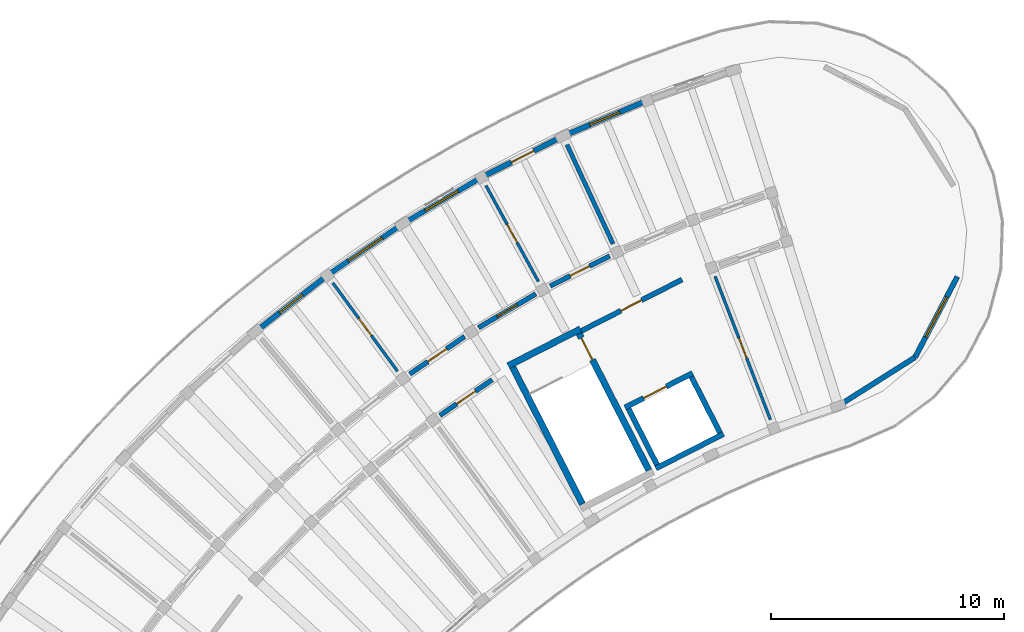
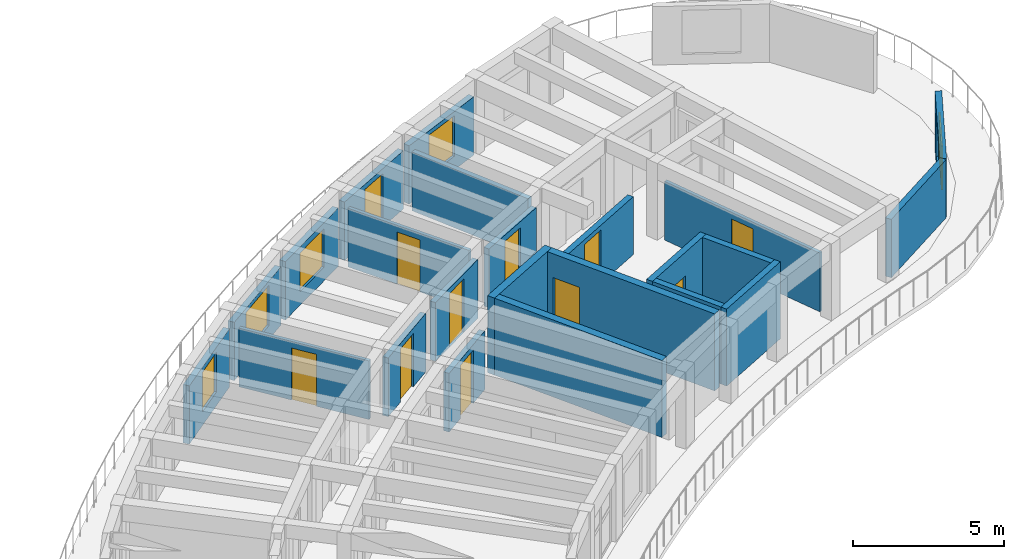
# One storey, part 6 of 9: 23 walls, 11 doors, 5 windows, 16 openings.
"""IFC4 building model written with IfcOpenShell, lengths in metres."""

from ifc_helpers import new_model, si_unit, direction, frame, frame_2d, origin, place, context, subcontext, project, spatial, rectangle, extrude, material, layer, layer_set, type_object, element, fill, save


model = new_model("IFC4")

# Units and contexts
model_context = context("Model", 3, precision=1e-05, world=origin(), true_north=direction((0.0, 1.0)))
body_context = subcontext(model_context, "Body", "Model", "MODEL_VIEW")
ifc_project = project(units=[si_unit("LENGTHUNIT", "METRE"), si_unit("AREAUNIT", "SQUARE_METRE"), si_unit("VOLUMEUNIT", "CUBIC_METRE"), si_unit("PLANEANGLEUNIT", "RADIAN"), si_unit("MASSUNIT", "GRAM", prefix="KILO")], contexts=[model_context])

# Site, building, storey
site_placement = place(None, origin())
site = spatial("IfcSite", under=ifc_project, at=site_placement, CompositionType="ELEMENT")
building_placement = place(site_placement, origin())
building = spatial("IfcBuilding", under=site, at=building_placement, Name="Tanwirah Colonnade Gardens", CompositionType="ELEMENT")
storey_placement = place(building_placement, frame((0.0, 0.0, 49.159912109375)))
storey = spatial("IfcBuildingStorey", under=building, at=storey_placement, Name="L14", CompositionType="ELEMENT", Elevation=49.159912109375)

# Wall, opening, window
ifc_material_1 = material(Name="Limestone architectural precast concrete C40/50", Category="masonry")
ifc_layer_1 = layer(ifc_material_1, 0.22509765625)
ifc_layer_set_1 = layer_set([ifc_layer_1], Name="Limestone architectural precast concrete C40/50")
wall_type_1 = type_object("IfcWallType", Name="EW-PC225", PredefinedType="SOLIDWALL", material=ifc_layer_set_1)
wall_1_placement = place(storey_placement, frame((43.367431640625, 115.675048828125, 0.0), z_axis=(0.0, 0.0, 1.0), x_axis=(-0.920504825894, -0.390731193413, 0.0)))
wall_1 = element("IfcWall", 1, at=wall_1_placement, inside=storey, type_object=wall_type_1, Name="Block A L14 OUT Precast Facade Wall 4", PredefinedType="SOLIDWALL", context=body_context, shape_type="SweptSolid", body=[
    extrude(rectangle(XDim=3.560791015625, YDim=0.22509765625, at=frame_2d((1.7802734375, 0.0))), origin(), (0.0, 0.0, 1.0), 2.35498046875),
])
opening_1_placement = place(wall_1_placement, frame((1.080322265625, 0.0, 0.550048828125)))
opening_1 = element("IfcOpeningElement", 2, at=opening_1_placement, cuts=wall_1, Name="Opening WIN-U07", PredefinedType="OPENING", context=body_context, shape_type="SweptSolid", body=[
    extrude(rectangle(XDim=1.39990234375, YDim=1.635009765625, at=frame_2d((0.699951171875, 0.8173828125))), frame((0.0, 0.12255859375, 0.0), z_axis=(0.0, -1.0, 0.0), x_axis=(1.0, 0.0, 0.0)), (0.0, 0.0, 1.0), 0.2451171875),
])
ifc_material_2 = material(Name="Thermally broken bronze aluminium and solar low-E double glazing", Category="aluminium")
window_type_1 = type_object("IfcWindowType", Name="WIN-U07", PartitioningType="DOUBLE_PANEL_VERTICAL", PredefinedType="WINDOW", material=ifc_material_2)
window_1_placement = place(opening_1_placement, origin())
window_1 = element("IfcWindow", 3, at=window_1_placement, inside=storey, type_object=window_type_1, Name="Facade window A-L14-OUT-04", OverallHeight=1.635009765625, OverallWidth=1.39990234375, PartitioningType="SINGLE_PANEL", PredefinedType="WINDOW", context=body_context, shape_type="SweptSolid", body=[
    extrude(rectangle(XDim=1.39990234375, YDim=1.635009765625, at=frame_2d((0.699951171875, 0.8173828125))), frame((0.0, 0.030029296875, 0.0), z_axis=(0.0, -1.0, 0.0), x_axis=(1.0, 0.0, 0.0)), (0.0, 0.0, 1.0), 0.06005859375),
])
fill(opening_1, window_1)

# Wall, opening, door
wall_2_placement = place(storey_placement, frame((39.79052734375, 114.14501953125, 0.0), z_axis=(0.0, 0.0, 1.0), x_axis=(-0.892761804842, -0.450528977776, 0.0)))
wall_2 = element("IfcWall", 4, at=wall_2_placement, inside=storey, type_object=wall_type_1, Name="Block A L14 OUT Precast Facade Wall 5", PredefinedType="SOLIDWALL", context=body_context, shape_type="SweptSolid", body=[
    extrude(rectangle(XDim=3.560791015625, YDim=0.22509765625, at=frame_2d((1.7802734375, 0.0))), origin(), (0.0, 0.0, 1.0), 2.35498046875),
])
opening_2_placement = place(wall_2_placement, frame((1.240234375, 0.0, 0.0)))
opening_2 = element("IfcOpeningElement", 5, at=opening_2_placement, cuts=wall_2, Name="Opening L14-ED065", PredefinedType="OPENING", context=body_context, shape_type="SweptSolid", body=[
    extrude(rectangle(XDim=1.080078125, YDim=2.14990234375, at=frame_2d((0.5400390625, 1.074951171875))), frame((0.0, 0.12255859375, 0.0), z_axis=(0.0, -1.0, 0.0), x_axis=(1.0, 0.0, 0.0)), (0.0, 0.0, 1.0), 0.2451171875),
])
ifc_material_3 = material(Name="Bronze aluminium glazed balcony door", Category="aluminium")
door_type_1 = type_object("IfcDoorType", Name="ED-BAL108", OperationType="NOTDEFINED", PredefinedType="DOOR", material=ifc_material_3)
door_1_placement = place(opening_2_placement, origin())
door_1 = element("IfcDoor", 6, at=door_1_placement, inside=storey, type_object=door_type_1, Name="Balcony glazed door L14-ED065", OperationType="SINGLE_SWING_RIGHT", OverallHeight=2.14990234375, OverallWidth=1.080078125, PredefinedType="DOOR", context=body_context, shape_type="SweptSolid", body=[
    extrude(rectangle(XDim=1.080078125, YDim=2.14990234375, at=frame_2d((0.5400390625, 1.074951171875))), frame((0.0, 0.02490234375, 0.0), z_axis=(0.0, -1.0, 0.0), x_axis=(1.0, 0.0, 0.0)), (0.0, 0.0, 1.0), 0.050048828125),
])
fill(opening_2, door_1)

# Wall, opening, window
wall_3_placement = place(storey_placement, frame((36.2607421875, 112.34912109375, 0.0), z_axis=(0.0, 0.0, 1.0), x_axis=(-0.861113476273, -0.508412805682, 0.0)))
wall_3 = element("IfcWall", 7, at=wall_3_placement, inside=storey, type_object=wall_type_1, Name="Block A L14 OUT Precast Facade Wall 6", PredefinedType="SOLIDWALL", context=body_context, shape_type="SweptSolid", body=[
    extrude(rectangle(XDim=3.560791015625, YDim=0.22509765625, at=frame_2d((1.7802734375, 0.0))), origin(), (0.0, 0.0, 1.0), 2.35498046875),
])
opening_3_placement = place(wall_3_placement, frame((0.96044921875, 0.0, 0.550048828125)))
opening_3 = element("IfcOpeningElement", 8, at=opening_3_placement, cuts=wall_3, Name="Opening WIN-U13", PredefinedType="OPENING", context=body_context, shape_type="SweptSolid", body=[
    extrude(rectangle(XDim=1.639892578125, YDim=1.56005859375, at=frame_2d((0.81982421875, 0.780029296875))), frame((0.0, 0.12255859375, 0.0), z_axis=(0.0, -1.0, 0.0), x_axis=(1.0, 0.0, 0.0)), (0.0, 0.0, 1.0), 0.2451171875),
])
window_type_2 = type_object("IfcWindowType", Name="WIN-U13", PartitioningType="DOUBLE_PANEL_VERTICAL", PredefinedType="WINDOW", material=ifc_material_2)
window_2_placement = place(opening_3_placement, origin())
window_2 = element("IfcWindow", 9, at=window_2_placement, inside=storey, type_object=window_type_2, Name="Facade window A-L14-OUT-06", OverallHeight=1.56005859375, OverallWidth=1.639892578125, PartitioningType="SINGLE_PANEL", PredefinedType="WINDOW", context=body_context, shape_type="SweptSolid", body=[
    extrude(rectangle(XDim=1.639892578125, YDim=1.56005859375, at=frame_2d((0.81982421875, 0.780029296875))), frame((0.0, 0.030029296875, 0.0), z_axis=(0.0, -1.0, 0.0), x_axis=(1.0, 0.0, 0.0)), (0.0, 0.0, 1.0), 0.06005859375),
])
fill(opening_3, window_2)

wall_4_placement = place(storey_placement, frame((32.916259765625, 110.36181640625, 0.0), z_axis=(0.0, 0.0, 1.0), x_axis=(-0.82580643372, -0.563953663014, 0.0)))
wall_4 = element("IfcWall", 10, at=wall_4_placement, inside=storey, type_object=wall_type_1, Name="Block A L14 OUT Precast Facade Wall 7", PredefinedType="SOLIDWALL", context=body_context, shape_type="SweptSolid", body=[
    extrude(rectangle(XDim=3.560791015625, YDim=0.22509765625, at=frame_2d((1.7802734375, 0.0))), origin(), (0.0, 0.0, 1.0), 2.35498046875),
])
opening_4_placement = place(wall_4_placement, frame((0.900390625, 0.0, 0.550048828125)))
opening_4 = element("IfcOpeningElement", 11, at=opening_4_placement, cuts=wall_4, Name="Opening WIN-U16", PredefinedType="OPENING", context=body_context, shape_type="SweptSolid", body=[
    extrude(rectangle(XDim=1.760009765625, YDim=1.635009765625, at=frame_2d((0.8798828125, 0.8173828125))), frame((0.0, 0.12255859375, 0.0), z_axis=(0.0, -1.0, 0.0), x_axis=(1.0, 0.0, 0.0)), (0.0, 0.0, 1.0), 0.2451171875),
])
window_type_3 = type_object("IfcWindowType", Name="WIN-U16", PartitioningType="DOUBLE_PANEL_VERTICAL", PredefinedType="WINDOW", material=ifc_material_2)
window_3_placement = place(opening_4_placement, origin())
window_3 = element("IfcWindow", 12, at=window_3_placement, inside=storey, type_object=window_type_3, Name="Facade window A-L14-OUT-07", OverallHeight=1.635009765625, OverallWidth=1.760009765625, PartitioningType="SINGLE_PANEL", PredefinedType="WINDOW", context=body_context, shape_type="SweptSolid", body=[
    extrude(rectangle(XDim=1.760009765625, YDim=1.635009765625, at=frame_2d((0.8798828125, 0.8173828125))), frame((0.0, 0.030029296875, 0.0), z_axis=(0.0, -1.0, 0.0), x_axis=(1.0, 0.0, 0.0)), (0.0, 0.0, 1.0), 0.06005859375),
])
fill(opening_4, window_3)

wall_5_placement = place(storey_placement, frame((29.6533203125, 108.117431640625, 0.0), z_axis=(0.0, 0.0, 1.0), x_axis=(-0.786786822338, -0.617224834396, 0.0)))
wall_5 = element("IfcWall", 13, at=wall_5_placement, inside=storey, type_object=wall_type_1, Name="Block A L14 OUT Precast Facade Wall 8", PredefinedType="SOLIDWALL", context=body_context, shape_type="SweptSolid", body=[
    extrude(rectangle(XDim=3.560791015625, YDim=0.22509765625, at=frame_2d((1.7802734375, 0.0))), origin(), (0.0, 0.0, 1.0), 2.35498046875),
])
opening_5_placement = place(wall_5_placement, frame((1.1552734375, 0.0, 0.550048828125)))
opening_5 = element("IfcOpeningElement", 14, at=opening_5_placement, cuts=wall_5, Name="Opening WIN-T03", PredefinedType="OPENING", context=body_context, shape_type="SweptSolid", body=[
    extrude(rectangle(XDim=1.25, YDim=1.60009765625, at=frame_2d((0.625, 0.800048828125))), frame((0.0, 0.12255859375, 0.0), z_axis=(0.0, -1.0, 0.0), x_axis=(1.0, 0.0, 0.0)), (0.0, 0.0, 1.0), 0.2451171875),
])
window_type_4 = type_object("IfcWindowType", Name="WIN-T03", PartitioningType="SINGLE_PANEL", PredefinedType="WINDOW", material=ifc_material_2)
window_4_placement = place(opening_5_placement, origin())
window_4 = element("IfcWindow", 15, at=window_4_placement, inside=storey, type_object=window_type_4, Name="Facade window A-L14-OUT-08", OverallHeight=1.60009765625, OverallWidth=1.25, PartitioningType="SINGLE_PANEL", PredefinedType="WINDOW", context=body_context, shape_type="SweptSolid", body=[
    extrude(rectangle(XDim=1.25, YDim=1.60009765625, at=frame_2d((0.625, 0.800048828125))), frame((0.0, 0.030029296875, 0.0), z_axis=(0.0, -1.0, 0.0), x_axis=(1.0, 0.0, 0.0)), (0.0, 0.0, 1.0), 0.06005859375),
])
fill(opening_5, window_4)

wall_6_placement = place(storey_placement, frame((56.873779296875, 108.18310546875, 0.0), z_axis=(0.0, 0.0, 1.0), x_axis=(-0.464273080326, -0.885692106143, 0.0)))
wall_6 = element("IfcWall", 16, at=wall_6_placement, inside=storey, type_object=wall_type_1, Name="Block A L14 START Rounded End Wall 4", PredefinedType="SOLIDWALL", context=body_context, shape_type="SweptSolid", body=[
    extrude(rectangle(XDim=3.908203125, YDim=0.22509765625, at=frame_2d((1.9541015625, 0.0))), origin(), (0.0, 0.0, 1.0), 2.35498046875),
])
opening_6_placement = place(wall_6_placement, frame((0.97900390625, 0.0, 0.39990234375)))
opening_6 = element("IfcOpeningElement", 17, at=opening_6_placement, cuts=wall_6, Name="Opening WIN-END2", PredefinedType="OPENING", context=body_context, shape_type="SweptSolid", body=[
    extrude(rectangle(XDim=1.949951171875, YDim=1.780029296875, at=frame_2d((0.97509765625, 0.89013671875))), frame((0.0, 0.12255859375, 0.0), z_axis=(0.0, -1.0, 0.0), x_axis=(1.0, 0.0, 0.0)), (0.0, 0.0, 1.0), 0.2451171875),
])
window_type_5 = type_object("IfcWindowType", Name="WIN-END2", PartitioningType="TRIPLE_PANEL_VERTICAL", PredefinedType="WINDOW", material=ifc_material_2)
window_5_placement = place(opening_6_placement, origin())
window_5 = element("IfcWindow", 18, at=window_5_placement, inside=storey, type_object=window_type_5, Name="Rounded corner window A-L14-START-4", OverallHeight=1.780029296875, OverallWidth=1.949951171875, PartitioningType="SINGLE_PANEL", PredefinedType="WINDOW", context=body_context, shape_type="SweptSolid", body=[
    extrude(rectangle(XDim=1.949951171875, YDim=1.780029296875, at=frame_2d((0.97509765625, 0.89013671875))), frame((0.0, 0.030029296875, 0.0), z_axis=(0.0, -1.0, 0.0), x_axis=(1.0, 0.0, 0.0)), (0.0, 0.0, 1.0), 0.06005859375),
])
fill(opening_6, window_5)

# Wall
wall_7_placement = place(storey_placement, frame((55.059326171875, 104.7216796875, 0.0), z_axis=(0.0, 0.0, 1.0), x_axis=(-0.844945177455, -0.534852920994, 0.0)))
element("IfcWall", 19, at=wall_7_placement, inside=storey, type_object=wall_type_1, Name="Block A L14 START Rounded End Wall 5", PredefinedType="SOLIDWALL", context=body_context, shape_type="SweptSolid", body=[
    extrude(rectangle(XDim=3.908203125, YDim=0.22509765625, at=frame_2d((1.9541015625, 0.0))), origin(), (0.0, 0.0, 1.0), 2.35498046875),
])

# Wall, opening, door
ifc_material_4 = material(Name="Precast concrete C40/50", Category="concrete")
ifc_layer_2 = layer(ifc_material_4, 0.205078125)
ifc_layer_set_2 = layer_set([ifc_layer_2], Name="Precast concrete C40/50")
wall_type_2 = type_object("IfcWallType", Name="IW-CORR205", PredefinedType="PARTITIONING", material=ifc_layer_set_2)
wall_8_placement = place(storey_placement, frame((41.93994140625, 109.072509765625, 0.0), z_axis=(0.0, 0.0, 1.0), x_axis=(-0.89273239336, -0.450587254419, 0.0)))
wall_8 = element("IfcWall", 20, at=wall_8_placement, inside=storey, type_object=wall_type_2, Name="Block A L14 OUT Corridor Wall 5", PredefinedType="PARTITIONING", context=body_context, shape_type="SweptSolid", body=[
    extrude(rectangle(XDim=2.863037109375, YDim=0.205078125, at=frame_2d((1.431640625, 0.0))), origin(), (0.0, 0.0, 1.0), 2.3701171875),
])
opening_7_placement = place(wall_8_placement, frame((0.966552734375, 0.0, 0.0)))
opening_7 = element("IfcOpeningElement", 21, at=opening_7_placement, cuts=wall_8, Name="Opening L14-AD770", PredefinedType="OPENING", context=body_context, shape_type="SweptSolid", body=[
    extrude(rectangle(XDim=0.929931640625, YDim=2.1201171875, at=frame_2d((0.46484375, 1.06005859375))), frame((0.0, 0.112548828125, 0.0), z_axis=(0.0, -1.0, 0.0), x_axis=(1.0, 0.0, 0.0)), (0.0, 0.0, 1.0), 0.22509765625),
])
ifc_material_5 = material(Name="Solid oak fire-resisting apartment entrance door")
door_type_2 = type_object("IfcDoorType", Name="ID-FLT093", OperationType="NOTDEFINED", PredefinedType="DOOR", material=ifc_material_5)
door_2_placement = place(opening_7_placement, origin())
door_2 = element("IfcDoor", 22, at=door_2_placement, inside=storey, type_object=door_type_2, Name="Apartment corridor door L14-AD770", OperationType="SINGLE_SWING_RIGHT", OverallHeight=2.1201171875, OverallWidth=0.929931640625, PredefinedType="DOOR", context=body_context, shape_type="SweptSolid", body=[
    extrude(rectangle(XDim=0.929931640625, YDim=2.1201171875, at=frame_2d((0.46484375, 1.06005859375))), frame((0.0, 0.02490234375, 0.0), z_axis=(0.0, -1.0, 0.0), x_axis=(1.0, 0.0, 0.0)), (0.0, 0.0, 1.0), 0.050048828125),
])
fill(opening_7, door_2)

wall_9_placement = place(storey_placement, frame((38.77001953125, 107.447021484375, 0.0), z_axis=(0.0, 0.0, 1.0), x_axis=(-0.861113214678, -0.508413248753, 0.0)))
wall_9 = element("IfcWall", 23, at=wall_9_placement, inside=storey, type_object=wall_type_2, Name="Block A L14 OUT Corridor Wall 6", PredefinedType="PARTITIONING", context=body_context, shape_type="SweptSolid", body=[
    extrude(rectangle(XDim=2.863037109375, YDim=0.205078125, at=frame_2d((1.431640625, 0.0))), origin(), (0.0, 0.0, 1.0), 2.3701171875),
])
opening_8_placement = place(wall_9_placement, frame((0.9365234375, 0.0, 0.0)))
opening_8 = element("IfcOpeningElement", 24, at=opening_8_placement, cuts=wall_9, Name="Opening L14-AD772", PredefinedType="OPENING", context=body_context, shape_type="SweptSolid", body=[
    extrude(rectangle(XDim=0.989990234375, YDim=2.159912109375, at=frame_2d((0.4951171875, 1.080078125))), frame((0.0, 0.112548828125, 0.0), z_axis=(0.0, -1.0, 0.0), x_axis=(1.0, 0.0, 0.0)), (0.0, 0.0, 1.0), 0.22509765625),
])
door_type_3 = type_object("IfcDoorType", Name="ID-FLT099", OperationType="NOTDEFINED", PredefinedType="DOOR", material=ifc_material_5)
door_3_placement = place(opening_8_placement, origin())
door_3 = element("IfcDoor", 25, at=door_3_placement, inside=storey, type_object=door_type_3, Name="Apartment corridor door L14-AD772", OperationType="SINGLE_SWING_LEFT", OverallHeight=2.159912109375, OverallWidth=0.989990234375, PredefinedType="DOOR", context=body_context, shape_type="SweptSolid", body=[
    extrude(rectangle(XDim=0.989990234375, YDim=2.159912109375, at=frame_2d((0.4951171875, 1.080078125))), frame((0.0, 0.02490234375, 0.0), z_axis=(0.0, -1.0, 0.0), x_axis=(1.0, 0.0, 0.0)), (0.0, 0.0, 1.0), 0.050048828125),
])
fill(opening_8, door_3)

wall_10_placement = place(storey_placement, frame((35.714111328125, 105.615966796875, 0.0), z_axis=(0.0, 0.0, 1.0), x_axis=(-0.825779671787, -0.563992848947, 0.0)))
wall_10 = element("IfcWall", 26, at=wall_10_placement, inside=storey, type_object=wall_type_2, Name="Block A L14 OUT Corridor Wall 7", PredefinedType="PARTITIONING", context=body_context, shape_type="SweptSolid", body=[
    extrude(rectangle(XDim=2.863037109375, YDim=0.205078125, at=frame_2d((1.431640625, 0.0))), origin(), (0.0, 0.0, 1.0), 2.3701171875),
])
opening_9_placement = place(wall_10_placement, frame((0.946533203125, 0.0, 0.0)))
opening_9 = element("IfcOpeningElement", 27, at=opening_9_placement, cuts=wall_10, Name="Opening L14-AD773", PredefinedType="OPENING", context=body_context, shape_type="SweptSolid", body=[
    extrude(rectangle(XDim=0.969970703125, YDim=2.14990234375, at=frame_2d((0.48486328125, 1.074951171875))), frame((0.0, 0.112548828125, 0.0), z_axis=(0.0, -1.0, 0.0), x_axis=(1.0, 0.0, 0.0)), (0.0, 0.0, 1.0), 0.22509765625),
])
door_type_4 = type_object("IfcDoorType", Name="ID-FLT097", OperationType="NOTDEFINED", PredefinedType="DOOR", material=ifc_material_5)
door_4_placement = place(opening_9_placement, origin())
door_4 = element("IfcDoor", 28, at=door_4_placement, inside=storey, type_object=door_type_4, Name="Apartment corridor door L14-AD773", OperationType="SINGLE_SWING_RIGHT", OverallHeight=2.14990234375, OverallWidth=0.969970703125, PredefinedType="DOOR", context=body_context, shape_type="SweptSolid", body=[
    extrude(rectangle(XDim=0.969970703125, YDim=2.14990234375, at=frame_2d((0.48486328125, 1.074951171875))), frame((0.0, 0.02490234375, 0.0), z_axis=(0.0, -1.0, 0.0), x_axis=(1.0, 0.0, 0.0)), (0.0, 0.0, 1.0), 0.050048828125),
])
fill(opening_9, door_4)

wall_11_placement = place(storey_placement, frame((36.89453125, 103.759521484375, 0.0), z_axis=(0.0, 0.0, 1.0), x_axis=(-0.825752009056, -0.56403334967, 0.0)))
wall_11 = element("IfcWall", 29, at=wall_11_placement, inside=storey, type_object=wall_type_2, Name="Block A L14 IN Corridor Wall 7", PredefinedType="PARTITIONING", context=body_context, shape_type="SweptSolid", body=[
    extrude(rectangle(XDim=2.71826171875, YDim=0.205078125, at=frame_2d((1.359130859375, 0.0))), origin(), (0.0, 0.0, 1.0), 2.3701171875),
])
opening_10_placement = place(wall_11_placement, frame((0.8740234375, 0.0, 0.0)))
opening_10 = element("IfcOpeningElement", 30, at=opening_10_placement, cuts=wall_11, Name="Opening L14-AD774", PredefinedType="OPENING", context=body_context, shape_type="SweptSolid", body=[
    extrude(rectangle(XDim=0.969970703125, YDim=2.14990234375, at=frame_2d((0.48486328125, 1.074951171875))), frame((0.0, 0.112548828125, 0.0), z_axis=(0.0, -1.0, 0.0), x_axis=(1.0, 0.0, 0.0)), (0.0, 0.0, 1.0), 0.22509765625),
])
door_5_placement = place(opening_10_placement, origin())
door_5 = element("IfcDoor", 31, at=door_5_placement, inside=storey, type_object=door_type_4, Name="Apartment corridor door L14-AD774", OperationType="SINGLE_SWING_LEFT", OverallHeight=2.14990234375, OverallWidth=0.969970703125, PredefinedType="DOOR", context=body_context, shape_type="SweptSolid", body=[
    extrude(rectangle(XDim=0.969970703125, YDim=2.14990234375, at=frame_2d((0.48486328125, 1.074951171875))), frame((0.0, 0.02490234375, 0.0), z_axis=(0.0, -1.0, 0.0), x_axis=(1.0, 0.0, 0.0)), (0.0, 0.0, 1.0), 0.050048828125),
])
fill(opening_10, door_5)

# Wall
ifc_layer_3 = layer(ifc_material_4, 0.18505859375)
ifc_layer_set_3 = layer_set([ifc_layer_3], Name="Precast concrete C40/50")
wall_type_3 = type_object("IfcWallType", Name="IW-DEM185", PredefinedType="PARTITIONING", material=ifc_layer_set_3)
wall_12_placement = place(storey_placement, frame((42.084228515625, 109.593017578125, 0.0), z_axis=(0.0, 0.0, 1.0), x_axis=(-0.420862519045, 0.907124434718, 0.0)))
element("IfcWall", 32, at=wall_12_placement, inside=storey, type_object=wall_type_3, Name="Block A L14 Radial Partition 4", PredefinedType="PARTITIONING", context=body_context, shape_type="SweptSolid", body=[
    extrude(rectangle(XDim=4.699951171875, YDim=0.18505859375, at=frame_2d((2.35009765625, 0.0))), origin(), (0.0, 0.0, 1.0), 2.3701171875),
])

# Wall, opening, door
ifc_material_6 = material(Name="Autoclaved aerated masonry blockwork", Category="masonry")
ifc_layer_4 = layer(ifc_material_6, 0.219970703125)
ifc_layer_set_4 = layer_set([ifc_layer_4], Name="Autoclaved aerated masonry blockwork")
wall_type_4 = type_object("IfcWallType", Name="IW-FFL220", PredefinedType="PARTITIONING", material=ifc_layer_set_4)
wall_13_placement = place(storey_placement, frame((40.68212890625, 105.833740234375, 0.0), z_axis=(0.0, 0.0, 1.0), x_axis=(0.891003372311, 0.453996685595, 0.0)))
wall_13 = element("IfcWall", 33, at=wall_13_placement, inside=storey, type_object=wall_type_4, Name="CORE-A1 L14 Enclosed Lobby Fire Wall", PredefinedType="PARTITIONING", context=body_context, shape_type="SweptSolid", body=[
    extrude(rectangle(XDim=4.900146484375, YDim=0.219970703125, at=frame_2d((2.4501953125, 0.0))), origin(), (0.0, 0.0, 1.0), 2.340087890625),
])
opening_11_placement = place(wall_13_placement, frame((1.949951171875, 0.0, 0.0)))
opening_11 = element("IfcOpeningElement", 34, at=opening_11_placement, cuts=wall_13, Name="Opening L14-LD032", PredefinedType="OPENING", context=body_context, shape_type="SweptSolid", body=[
    extrude(rectangle(XDim=1.0, YDim=2.14990234375, at=frame_2d((0.5, 1.074951171875))), frame((0.0, 0.119873046875, 0.0), z_axis=(0.0, -1.0, 0.0), x_axis=(1.0, 0.0, 0.0)), (0.0, 0.0, 1.0), 0.239990234375),
])
ifc_material_7 = material(Name="Acoustic fire-resisting lobby door")
door_type_5 = type_object("IfcDoorType", Name="ID-FFL100", OperationType="NOTDEFINED", PredefinedType="DOOR", material=ifc_material_7)
door_6_placement = place(opening_11_placement, origin())
door_6 = element("IfcDoor", 35, at=door_6_placement, inside=storey, type_object=door_type_5, Name="CORE-A1 L14 Lobby Fire Door L14-LD032", OperationType="SINGLE_SWING_LEFT", OverallHeight=2.14990234375, OverallWidth=1.0, PredefinedType="DOOR", context=body_context, shape_type="SweptSolid", body=[
    extrude(rectangle(XDim=1.0, YDim=2.14990234375, at=frame_2d((0.5, 1.074951171875))), frame((0.0, 0.02490234375, 0.0), z_axis=(0.0, -1.0, 0.0), x_axis=(1.0, 0.0, 0.0)), (0.0, 0.0, 1.0), 0.050048828125),
])
fill(opening_11, door_6)

ifc_material_8 = material(Name="Moisture-resistant gypsum stud partition")
ifc_layer_5 = layer(ifc_material_8, 0.125)
ifc_layer_set_5 = layer_set([ifc_layer_5], Name="Moisture-resistant gypsum stud partition")
wall_type_5 = type_object("IfcWallType", Name="IW-INT125", PredefinedType="PARTITIONING", material=ifc_layer_set_5)
wall_14_placement = place(storey_placement, frame((48.845947265625, 102.039794921875, 0.0), z_axis=(0.0, 0.0, 1.0), x_axis=(-0.360183473608, 0.932881485152, 0.0)))
wall_14 = element("IfcWall", 36, at=wall_14_placement, inside=storey, type_object=wall_type_5, Name="Block A L14 Inner Radial Partition 3", PredefinedType="PARTITIONING", context=body_context, shape_type="SweptSolid", body=[
    extrude(rectangle(XDim=6.599853515625, YDim=0.125, at=frame_2d((3.2998046875, 0.0))), origin(), (0.0, 0.0, 1.0), 2.3701171875),
])
opening_12_placement = place(wall_14_placement, frame((2.844970703125, 0.0, 0.0)))
opening_12 = element("IfcOpeningElement", 37, at=opening_12_placement, cuts=wall_14, Name="Opening L14-RD768", PredefinedType="OPENING", context=body_context, shape_type="SweptSolid", body=[
    extrude(rectangle(XDim=0.909912109375, YDim=2.10009765625, at=frame_2d((0.455078125, 1.050048828125))), frame((0.0, 0.072509765625, 0.0), z_axis=(0.0, -1.0, 0.0), x_axis=(1.0, 0.0, 0.0)), (0.0, 0.0, 1.0), 0.14501953125),
])
ifc_material_9 = material(Name="Painted hardwood internal room door", Category="wood")
door_type_6 = type_object("IfcDoorType", Name="ID-RM091", OperationType="NOTDEFINED", PredefinedType="DOOR", material=ifc_material_9)
door_7_placement = place(opening_12_placement, origin())
door_7 = element("IfcDoor", 38, at=door_7_placement, inside=storey, type_object=door_type_6, Name="Internal apartment door L14-RD768", OperationType="SINGLE_SWING_LEFT", OverallHeight=2.10009765625, OverallWidth=0.909912109375, PredefinedType="DOOR", context=body_context, shape_type="SweptSolid", body=[
    extrude(rectangle(XDim=0.909912109375, YDim=2.10009765625, at=frame_2d((0.455078125, 1.050048828125))), frame((0.0, 0.02490234375, 0.0), z_axis=(0.0, -1.0, 0.0), x_axis=(1.0, 0.0, 0.0)), (0.0, 0.0, 1.0), 0.050048828125),
])
fill(opening_12, door_7)

wall_15_placement = place(storey_placement, frame((38.879638671875, 107.975830078125, 0.0), z_axis=(0.0, 0.0, 1.0), x_axis=(-0.479721743761, 0.877420679357, 0.0)))
wall_15 = element("IfcWall", 39, at=wall_15_placement, inside=storey, type_object=wall_type_5, Name="Block A L14 Radial Partition 5", PredefinedType="PARTITIONING", context=body_context, shape_type="SweptSolid", body=[
    extrude(rectangle(XDim=4.699951171875, YDim=0.125, at=frame_2d((2.35009765625, 0.0))), origin(), (0.0, 0.0, 1.0), 2.3701171875),
])
opening_13_placement = place(wall_15_placement, frame((1.905029296875, 0.0, 0.0)))
opening_13 = element("IfcOpeningElement", 40, at=opening_13_placement, cuts=wall_15, Name="Opening L14-RD771", PredefinedType="OPENING", context=body_context, shape_type="SweptSolid", body=[
    extrude(rectangle(XDim=0.889892578125, YDim=2.10009765625, at=frame_2d((0.44482421875, 1.050048828125))), frame((0.0, 0.072509765625, 0.0), z_axis=(0.0, -1.0, 0.0), x_axis=(1.0, 0.0, 0.0)), (0.0, 0.0, 1.0), 0.14501953125),
])
ifc_material_10 = material(Name="Painted hardwood bedroom door", Category="wood")
door_type_7 = type_object("IfcDoorType", Name="ID-RM089", OperationType="NOTDEFINED", PredefinedType="DOOR", material=ifc_material_10)
door_8_placement = place(opening_13_placement, origin())
door_8 = element("IfcDoor", 41, at=door_8_placement, inside=storey, type_object=door_type_7, Name="Internal apartment door L14-RD771", OperationType="SINGLE_SWING_RIGHT", OverallHeight=2.10009765625, OverallWidth=0.889892578125, PredefinedType="DOOR", context=body_context, shape_type="SweptSolid", body=[
    extrude(rectangle(XDim=0.889892578125, YDim=2.10009765625, at=frame_2d((0.44482421875, 1.050048828125))), frame((0.0, 0.02490234375, 0.0), z_axis=(0.0, -1.0, 0.0), x_axis=(1.0, 0.0, 0.0)), (0.0, 0.0, 1.0), 0.050048828125),
])
fill(opening_13, door_8)

wall_16_placement = place(storey_placement, frame((32.824462890625, 104.12646484375, 0.0), z_axis=(0.0, 0.0, 1.0), x_axis=(-0.590910940129, 0.806736797745, 0.0)))
wall_16 = element("IfcWall", 42, at=wall_16_placement, inside=storey, type_object=wall_type_5, Name="Block A L14 Radial Partition 7", PredefinedType="PARTITIONING", context=body_context, shape_type="SweptSolid", body=[
    extrude(rectangle(XDim=4.7001953125, YDim=0.125, at=frame_2d((2.35009765625, 0.0))), origin(), (0.0, 0.0, 1.0), 2.3701171875),
])
opening_14_placement = place(wall_16_placement, frame((1.89501953125, 0.0, 0.0)))
opening_14 = element("IfcOpeningElement", 43, at=opening_14_placement, cuts=wall_16, Name="Opening L14-RD775", PredefinedType="OPENING", context=body_context, shape_type="SweptSolid", body=[
    extrude(rectangle(XDim=0.909912109375, YDim=2.10009765625, at=frame_2d((0.455078125, 1.050048828125))), frame((0.0, 0.072509765625, 0.0), z_axis=(0.0, -1.0, 0.0), x_axis=(1.0, 0.0, 0.0)), (0.0, 0.0, 1.0), 0.14501953125),
])
door_9_placement = place(opening_14_placement, origin())
door_9 = element("IfcDoor", 44, at=door_9_placement, inside=storey, type_object=door_type_6, Name="Internal apartment door L14-RD775", OperationType="SINGLE_SWING_RIGHT", OverallHeight=2.10009765625, OverallWidth=0.909912109375, PredefinedType="DOOR", context=body_context, shape_type="SweptSolid", body=[
    extrude(rectangle(XDim=0.909912109375, YDim=2.10009765625, at=frame_2d((0.455078125, 1.050048828125))), frame((0.0, 0.02490234375, 0.0), z_axis=(0.0, -1.0, 0.0), x_axis=(1.0, 0.0, 0.0)), (0.0, 0.0, 1.0), 0.050048828125),
])
fill(opening_14, door_9)

# Walls
ifc_material_11 = material(Name="Concrete C45/55", Category="concrete")
ifc_layer_6 = layer(ifc_material_11, 0.280029296875)
ifc_layer_set_6 = layer_set([ifc_layer_6], Name="Concrete C45/55")
wall_type_6 = type_object("IfcWallType", Name="SW-CORE280", PredefinedType="SHEAR", material=ifc_layer_set_6)
wall_17_placement = place(storey_placement, frame((37.7734375, 104.295654296875, 0.0), z_axis=(0.0, 0.0, 1.0), x_axis=(0.453992276384, -0.891005618941, 0.0)))
element("IfcWall", 45, at=wall_17_placement, inside=storey, type_object=wall_type_6, Name="CORE-A1 L14 Stair Shaft Shear Wall LEFT", PredefinedType="SHEAR", context=body_context, shape_type="SweptSolid", body=[
    extrude(rectangle(XDim=6.599853515625, YDim=0.280029296875, at=frame_2d((3.2998046875, 0.0))), origin(), (0.0, 0.0, 1.0), 3.110107421875),
])
wall_18_placement = place(storey_placement, frame((37.585205078125, 104.356689453125, 0.0), z_axis=(0.0, 0.0, 1.0), x_axis=(0.891020222667, 0.453963613958, 0.0)))
element("IfcWall", 46, at=wall_18_placement, inside=storey, type_object=wall_type_6, Name="CORE-A1 L14 Stair Shaft Shear Wall NEAR", PredefinedType="SHEAR", context=body_context, shape_type="SweptSolid", body=[
    extrude(rectangle(XDim=3.47998046875, YDim=0.280029296875, at=frame_2d((1.739990234375, 0.0))), origin(), (0.0, 0.0, 1.0), 3.110107421875),
])

# Wall, opening, door
wall_19_placement = place(storey_placement, frame((40.624755859375, 105.748291015625, 0.0), z_axis=(0.0, 0.0, 1.0), x_axis=(0.453992276384, -0.891005618941, 0.0)))
wall_19 = element("IfcWall", 47, at=wall_19_placement, inside=storey, type_object=wall_type_6, Name="CORE-A1 L14 Stair Shaft Shear Wall RIGHT", PredefinedType="SHEAR", context=body_context, shape_type="SweptSolid", body=[
    extrude(rectangle(XDim=6.599853515625, YDim=0.280029296875, at=frame_2d((3.2998046875, 0.0))), origin(), (0.0, 0.0, 1.0), 3.110107421875),
])
opening_15_placement = place(wall_19_placement, frame((0.219970703125, 0.0, 0.0)))
opening_15 = element("IfcOpeningElement", 48, at=opening_15_placement, cuts=wall_19, Name="Opening L14-SD016", PredefinedType="OPENING", context=body_context, shape_type="SweptSolid", body=[
    extrude(rectangle(XDim=1.050048828125, YDim=2.14990234375, at=frame_2d((0.52490234375, 1.074951171875))), frame((0.0, 0.14990234375, 0.0), z_axis=(0.0, -1.0, 0.0), x_axis=(1.0, 0.0, 0.0)), (0.0, 0.0, 1.0), 0.300048828125),
])
ifc_material_12 = material(Name="Steel fire-resisting stair enclosure door", Category="steel")
door_type_8 = type_object("IfcDoorType", Name="ID-ST105", OperationType="NOTDEFINED", PredefinedType="DOOR", material=ifc_material_12)
door_10_placement = place(opening_15_placement, origin())
door_10 = element("IfcDoor", 49, at=door_10_placement, inside=storey, type_object=door_type_8, Name="CORE-A1 L14 Stair Fire Door L14-SD016", OperationType="SINGLE_SWING_LEFT", OverallHeight=2.14990234375, OverallWidth=1.050048828125, PredefinedType="DOOR", context=body_context, shape_type="SweptSolid", body=[
    extrude(rectangle(XDim=1.050048828125, YDim=2.14990234375, at=frame_2d((0.52490234375, 1.074951171875))), frame((0.0, 0.02490234375, 0.0), z_axis=(0.0, -1.0, 0.0), x_axis=(1.0, 0.0, 0.0)), (0.0, 0.0, 1.0), 0.050048828125),
])
fill(opening_15, door_10)

ifc_layer_7 = layer(ifc_material_11, 0.22998046875)
ifc_layer_set_7 = layer_set([ifc_layer_7], Name="Concrete C45/55")
wall_type_7 = type_object("IfcWallType", Name="SW-LIFT230", PredefinedType="SHEAR", material=ifc_layer_set_7)
wall_20_placement = place(storey_placement, frame((42.5966796875, 102.561279296875, 0.0), z_axis=(0.0, 0.0, 1.0), x_axis=(0.891001200497, 0.454000947921, 0.0)))
wall_20 = element("IfcWall", 50, at=wall_20_placement, inside=storey, type_object=wall_type_7, Name="CORE-A1 L14 Lift Shaft Wall FRONT", PredefinedType="SHEAR", context=body_context, shape_type="SweptSolid", body=[
    extrude(rectangle(XDim=3.259765625, YDim=0.22998046875, at=frame_2d((1.6298828125, 0.0))), origin(), (0.0, 0.0, 1.0), 3.110107421875),
])
opening_16_placement = place(wall_20_placement, frame((0.89990234375, 0.0, 0.0)))
opening_16 = element("IfcOpeningElement", 51, at=opening_16_placement, cuts=wall_20, Name="Opening L14-LD-FL-A1", PredefinedType="OPENING", context=body_context, shape_type="SweptSolid", body=[
    extrude(rectangle(XDim=1.10009765625, YDim=2.14990234375, at=frame_2d((0.550048828125, 1.074951171875))), frame((0.0, 0.125, 0.0), z_axis=(0.0, -1.0, 0.0), x_axis=(1.0, 0.0, 0.0)), (0.0, 0.0, 1.0), 0.25),
])
ifc_material_13 = material(Name="Stainless steel sliding fire lift landing door", Category="steel")
door_type_9 = type_object("IfcDoorType", Name="LD-FF11", OperationType="DOUBLE_DOOR_SLIDING", PredefinedType="DOOR", material=ifc_material_13)
door_11_placement = place(opening_16_placement, origin())
door_11 = element("IfcDoor", 52, at=door_11_placement, inside=storey, type_object=door_type_9, Name="Lift FL-A1 L14 Sliding Landing Door", OperationType="DOUBLE_DOOR_SLIDING", OverallHeight=2.14990234375, OverallWidth=1.10009765625, PredefinedType="DOOR", context=body_context, shape_type="SweptSolid", body=[
    extrude(rectangle(XDim=1.10009765625, YDim=2.14990234375, at=frame_2d((0.550048828125, 1.074951171875))), frame((0.0, 0.02490234375, 0.0), z_axis=(0.0, -1.0, 0.0), x_axis=(1.0, 0.0, 0.0)), (0.0, 0.0, 1.0), 0.050048828125),
])
fill(opening_16, door_11)

# Walls
wall_21_placement = place(storey_placement, frame((43.9267578125, 99.950439453125, 0.0), z_axis=(0.0, 0.0, 1.0), x_axis=(0.891016635648, 0.453970654337, 0.0)))
element("IfcWall", 53, at=wall_21_placement, inside=storey, type_object=wall_type_7, Name="CORE-A1 L14 Lift Shaft Wall BACK", PredefinedType="SHEAR", context=body_context, shape_type="SweptSolid", body=[
    extrude(rectangle(XDim=3.260009765625, YDim=0.22998046875, at=frame_2d((1.6298828125, 0.0))), origin(), (0.0, 0.0, 1.0), 3.110107421875),
])
for number, where, z_axis, x_axis, name in (
    (54, (42.751220703125, 102.510986328125, 0.0), (0.0, 0.0, 1.0), (0.454000278178, -0.891001541758, 0.0), "CORE-A1 L14 Lift Shaft Wall SIDEA"),
    (55, (45.450927734375, 103.886474609375, 0.0), (0.0, 0.0, 1.0), (0.454000278178, -0.891001541758, 0.0), "CORE-A1 L14 Lift Shaft Wall SIDEB"),
):
    element("IfcWall", number, at=place(storey_placement, frame(where, z_axis=z_axis, x_axis=x_axis)), inside=storey, type_object=wall_type_7, Name=name, PredefinedType="SHEAR", context=body_context, shape_type="SweptSolid", body=[
        extrude(rectangle(XDim=2.699951171875, YDim=0.22998046875, at=frame_2d((1.35009765625, 0.0))), origin(), (0.0, 0.0, 1.0), 3.110107421875),
    ])

save(model, "model.ifc")
